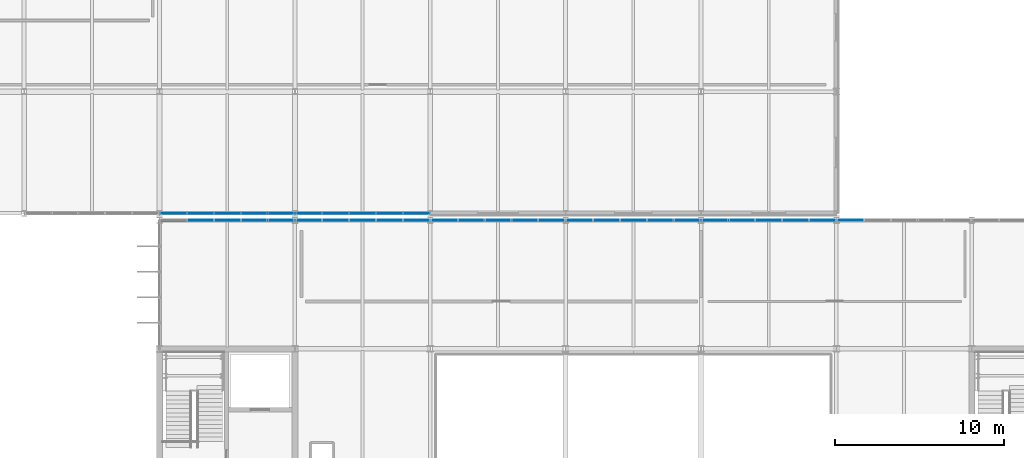
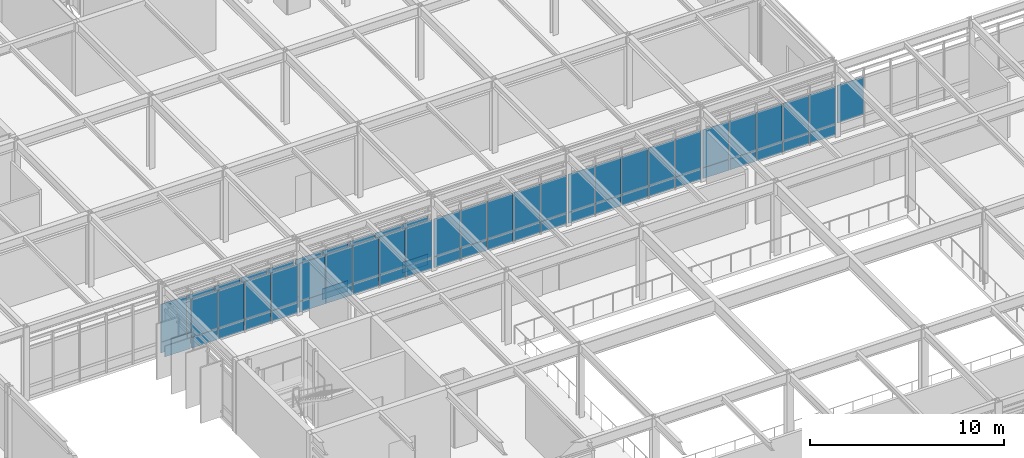
# One storey, part 72 of 104: 70 plates, 8 elements without a shape of their own.
"""IFC4 building model written with IfcOpenShell, lengths in metres."""

from ifc_helpers import new_model, si_unit, direction, frame, origin, origin_2d, place, context, subcontext, project, spatial, rectangle, extrude, material, layer, layer_set, type_object, element, aggregate, save


model = new_model("IFC4")

# Units and contexts
model_context = context("Model", 3, precision=1e-05, world=origin(), true_north=direction((0.0, 1.0)))
body_context = subcontext(model_context, "Body", "Model", "MODEL_VIEW")
ifc_project = project(units=[si_unit("LENGTHUNIT", "METRE"), si_unit("AREAUNIT", "SQUARE_METRE"), si_unit("VOLUMEUNIT", "CUBIC_METRE"), si_unit("PLANEANGLEUNIT", "RADIAN"), si_unit("MASSUNIT", "GRAM", prefix="KILO")], contexts=[model_context])

# Site, building, storey
site_placement = place(None, origin())
site = spatial("IfcSite", under=ifc_project, at=site_placement, CompositionType="ELEMENT")
building_placement = place(site_placement, origin())
building = spatial("IfcBuilding", under=site, at=building_placement, Name="Zulena Civic Courthouse", CompositionType="ELEMENT")
storey_placement = place(building_placement, frame((0.0, 0.0, 15.60009765625)))
storey = spatial("IfcBuildingStorey", under=building, at=storey_placement, Name="L03", CompositionType="ELEMENT", Elevation=15.60009765625)

# Curtain wall, plates
ifc_material_1 = material(Name="Double-silver low-E laminated solar-control glass", Category="glass")
curtain_wall_type = type_object("IfcCurtainWallType", Name="CW_7928x3690", PredefinedType="USERDEFINED", material=ifc_material_1)
curtain_wall_1_placement = place(storey_placement, origin())
curtain_wall_1 = element("IfcCurtainWall", 1, at=curtain_wall_1_placement, inside=storey, type_object=curtain_wall_type, Name="cw:V4:L03:1:0", ObjectType="UNITISED CURTAIN WALL", PredefinedType="USERDEFINED")
ifc_material_2 = material(Name="Ceramic-fritted insulated spandrel glass", Category="glass")
ifc_layer_1 = layer(ifc_material_2, 0.0458984375)
ifc_layer_set_1 = layer_set([ifc_layer_1], Name="Ceramic-fritted insulated spandrel glass")
plate_type_1 = type_object("IfcPlateType", Name="CWPanel_Spandrel_46", PredefinedType="CURTAIN_PANEL", material=ifc_layer_set_1)
plate_1_placement = place(storey_placement, frame((68.828857421875, 45.60009765625, 0.06982421875), z_axis=(0.0, 0.0, 1.0), x_axis=(1.0, 0.0, 0.0)))
plate_1 = element("IfcPlate", 2, at=plate_1_placement, type_object=plate_type_1, Name="cw:V4:L03:1:0:panS:0", PredefinedType="CURTAIN_PANEL", context=body_context, shape_type="SweptSolid", body=[
    extrude(rectangle(XDim=1.535888671875, YDim=0.0458984375, at=origin_2d()), origin(), (0.0, 0.0, 1.0), 0.669921875),
])
plate_2_placement = place(storey_placement, frame((70.414306640625, 45.60009765625, 0.06982421875), z_axis=(0.0, 0.0, 1.0), x_axis=(1.0, 0.0, 0.0)))
plate_2 = element("IfcPlate", 3, at=plate_2_placement, type_object=plate_type_1, Name="cw:V4:L03:1:0:panS:1", PredefinedType="CURTAIN_PANEL", context=body_context, shape_type="SweptSolid", body=[
    extrude(rectangle(XDim=1.535888671875, YDim=0.0458984375, at=origin_2d()), origin(), (0.0, 0.0, 1.0), 0.669921875),
])
plate_3_placement = place(storey_placement, frame((72.0, 45.60009765625, 0.06982421875), z_axis=(0.0, 0.0, 1.0), x_axis=(1.0, 0.0, 0.0)))
plate_3 = element("IfcPlate", 4, at=plate_3_placement, type_object=plate_type_1, Name="cw:V4:L03:1:0:panS:2", PredefinedType="CURTAIN_PANEL", context=body_context, shape_type="SweptSolid", body=[
    extrude(rectangle(XDim=1.535888671875, YDim=0.0458984375, at=origin_2d()), origin(), (0.0, 0.0, 1.0), 0.669921875),
])
plate_4_placement = place(storey_placement, frame((73.585693359375, 45.60009765625, 0.06982421875), z_axis=(0.0, 0.0, 1.0), x_axis=(1.0, 0.0, 0.0)))
plate_4 = element("IfcPlate", 5, at=plate_4_placement, type_object=plate_type_1, Name="cw:V4:L03:1:0:panS:3", PredefinedType="CURTAIN_PANEL", context=body_context, shape_type="SweptSolid", body=[
    extrude(rectangle(XDim=1.535888671875, YDim=0.0458984375, at=origin_2d()), origin(), (0.0, 0.0, 1.0), 0.669921875),
])
plate_5_placement = place(storey_placement, frame((75.171142578125, 45.60009765625, 0.06982421875), z_axis=(0.0, 0.0, 1.0), x_axis=(1.0, 0.0, 0.0)))
plate_5 = element("IfcPlate", 6, at=plate_5_placement, type_object=plate_type_1, Name="cw:V4:L03:1:0:panS:4", PredefinedType="CURTAIN_PANEL", context=body_context, shape_type="SweptSolid", body=[
    extrude(rectangle(XDim=1.535888671875, YDim=0.0458984375, at=origin_2d()), origin(), (0.0, 0.0, 1.0), 0.669921875),
])

curtain_wall_2_placement = place(storey_placement, origin())
curtain_wall_2 = element("IfcCurtainWall", 7, at=curtain_wall_2_placement, inside=storey, type_object=curtain_wall_type, Name="cw:V4:L03:1:1", ObjectType="UNITISED CURTAIN WALL", PredefinedType="USERDEFINED")
plate_6_placement = place(storey_placement, frame((76.828857421875, 45.60009765625, 0.06982421875), z_axis=(0.0, 0.0, 1.0), x_axis=(1.0, 0.0, 0.0)))
plate_6 = element("IfcPlate", 8, at=plate_6_placement, type_object=plate_type_1, Name="cw:V4:L03:1:1:panS:0", PredefinedType="CURTAIN_PANEL", context=body_context, shape_type="SweptSolid", body=[
    extrude(rectangle(XDim=1.535888671875, YDim=0.0458984375, at=origin_2d()), origin(), (0.0, 0.0, 1.0), 0.669921875),
])
plate_7_placement = place(storey_placement, frame((78.414306640625, 45.60009765625, 0.06982421875), z_axis=(0.0, 0.0, 1.0), x_axis=(1.0, 0.0, 0.0)))
plate_7 = element("IfcPlate", 9, at=plate_7_placement, type_object=plate_type_1, Name="cw:V4:L03:1:1:panS:1", PredefinedType="CURTAIN_PANEL", context=body_context, shape_type="SweptSolid", body=[
    extrude(rectangle(XDim=1.535888671875, YDim=0.0458984375, at=origin_2d()), origin(), (0.0, 0.0, 1.0), 0.669921875),
])
plate_8_placement = place(storey_placement, frame((80.0, 45.60009765625, 0.06982421875), z_axis=(0.0, 0.0, 1.0), x_axis=(1.0, 0.0, 0.0)))
plate_8 = element("IfcPlate", 10, at=plate_8_placement, type_object=plate_type_1, Name="cw:V4:L03:1:1:panS:2", PredefinedType="CURTAIN_PANEL", context=body_context, shape_type="SweptSolid", body=[
    extrude(rectangle(XDim=1.535888671875, YDim=0.0458984375, at=origin_2d()), origin(), (0.0, 0.0, 1.0), 0.669921875),
])
plate_9_placement = place(storey_placement, frame((81.585693359375, 45.60009765625, 0.06982421875), z_axis=(0.0, 0.0, 1.0), x_axis=(1.0, 0.0, 0.0)))
plate_9 = element("IfcPlate", 11, at=plate_9_placement, type_object=plate_type_1, Name="cw:V4:L03:1:1:panS:3", PredefinedType="CURTAIN_PANEL", context=body_context, shape_type="SweptSolid", body=[
    extrude(rectangle(XDim=1.535888671875, YDim=0.0458984375, at=origin_2d()), origin(), (0.0, 0.0, 1.0), 0.669921875),
])
plate_10_placement = place(storey_placement, frame((83.171142578125, 45.60009765625, 0.06982421875), z_axis=(0.0, 0.0, 1.0), x_axis=(1.0, 0.0, 0.0)))
plate_10 = element("IfcPlate", 12, at=plate_10_placement, type_object=plate_type_1, Name="cw:V4:L03:1:1:panS:4", PredefinedType="CURTAIN_PANEL", context=body_context, shape_type="SweptSolid", body=[
    extrude(rectangle(XDim=1.535888671875, YDim=0.0458984375, at=origin_2d()), origin(), (0.0, 0.0, 1.0), 0.669921875),
])

curtain_wall_3_placement = place(storey_placement, origin())
curtain_wall_3 = element("IfcCurtainWall", 13, at=curtain_wall_3_placement, inside=storey, type_object=curtain_wall_type, Name="cw:V4:L03:1:2", ObjectType="UNITISED CURTAIN WALL", PredefinedType="USERDEFINED")
plate_11_placement = place(storey_placement, frame((84.828857421875, 45.60009765625, 0.06982421875), z_axis=(0.0, 0.0, 1.0), x_axis=(1.0, 0.0, 0.0)))
plate_11 = element("IfcPlate", 14, at=plate_11_placement, type_object=plate_type_1, Name="cw:V4:L03:1:2:panS:0", PredefinedType="CURTAIN_PANEL", context=body_context, shape_type="SweptSolid", body=[
    extrude(rectangle(XDim=1.535888671875, YDim=0.0458984375, at=origin_2d()), origin(), (0.0, 0.0, 1.0), 0.669921875),
])
plate_12_placement = place(storey_placement, frame((86.414306640625, 45.60009765625, 0.06982421875), z_axis=(0.0, 0.0, 1.0), x_axis=(1.0, 0.0, 0.0)))
plate_12 = element("IfcPlate", 15, at=plate_12_placement, type_object=plate_type_1, Name="cw:V4:L03:1:2:panS:1", PredefinedType="CURTAIN_PANEL", context=body_context, shape_type="SweptSolid", body=[
    extrude(rectangle(XDim=1.535888671875, YDim=0.0458984375, at=origin_2d()), origin(), (0.0, 0.0, 1.0), 0.669921875),
])
plate_13_placement = place(storey_placement, frame((88.0, 45.60009765625, 0.06982421875), z_axis=(0.0, 0.0, 1.0), x_axis=(1.0, 0.0, 0.0)))
plate_13 = element("IfcPlate", 16, at=plate_13_placement, type_object=plate_type_1, Name="cw:V4:L03:1:2:panS:2", PredefinedType="CURTAIN_PANEL", context=body_context, shape_type="SweptSolid", body=[
    extrude(rectangle(XDim=1.535888671875, YDim=0.0458984375, at=origin_2d()), origin(), (0.0, 0.0, 1.0), 0.669921875),
])
plate_14_placement = place(storey_placement, frame((89.585693359375, 45.60009765625, 0.06982421875), z_axis=(0.0, 0.0, 1.0), x_axis=(1.0, 0.0, 0.0)))
plate_14 = element("IfcPlate", 17, at=plate_14_placement, type_object=plate_type_1, Name="cw:V4:L03:1:2:panS:3", PredefinedType="CURTAIN_PANEL", context=body_context, shape_type="SweptSolid", body=[
    extrude(rectangle(XDim=1.535888671875, YDim=0.0458984375, at=origin_2d()), origin(), (0.0, 0.0, 1.0), 0.669921875),
])
plate_15_placement = place(storey_placement, frame((91.171142578125, 45.60009765625, 0.06982421875), z_axis=(0.0, 0.0, 1.0), x_axis=(1.0, 0.0, 0.0)))
plate_15 = element("IfcPlate", 18, at=plate_15_placement, type_object=plate_type_1, Name="cw:V4:L03:1:2:panS:4", PredefinedType="CURTAIN_PANEL", context=body_context, shape_type="SweptSolid", body=[
    extrude(rectangle(XDim=1.535888671875, YDim=0.0458984375, at=origin_2d()), origin(), (0.0, 0.0, 1.0), 0.669921875),
])

curtain_wall_4_placement = place(storey_placement, origin())
curtain_wall_4 = element("IfcCurtainWall", 19, at=curtain_wall_4_placement, inside=storey, type_object=curtain_wall_type, Name="cw:V4:L03:1:3", ObjectType="UNITISED CURTAIN WALL", PredefinedType="USERDEFINED")
plate_16_placement = place(storey_placement, frame((92.828857421875, 45.60009765625, 0.06982421875), z_axis=(0.0, 0.0, 1.0), x_axis=(1.0, 0.0, 0.0)))
plate_16 = element("IfcPlate", 20, at=plate_16_placement, type_object=plate_type_1, Name="cw:V4:L03:1:3:panS:0", PredefinedType="CURTAIN_PANEL", context=body_context, shape_type="SweptSolid", body=[
    extrude(rectangle(XDim=1.535888671875, YDim=0.0458984375, at=origin_2d()), origin(), (0.0, 0.0, 1.0), 0.669921875),
])
plate_17_placement = place(storey_placement, frame((94.414306640625, 45.60009765625, 0.06982421875), z_axis=(0.0, 0.0, 1.0), x_axis=(1.0, 0.0, 0.0)))
plate_17 = element("IfcPlate", 21, at=plate_17_placement, type_object=plate_type_1, Name="cw:V4:L03:1:3:panS:1", PredefinedType="CURTAIN_PANEL", context=body_context, shape_type="SweptSolid", body=[
    extrude(rectangle(XDim=1.535888671875, YDim=0.0458984375, at=origin_2d()), origin(), (0.0, 0.0, 1.0), 0.669921875),
])
plate_18_placement = place(storey_placement, frame((96.0, 45.60009765625, 0.06982421875), z_axis=(0.0, 0.0, 1.0), x_axis=(1.0, 0.0, 0.0)))
plate_18 = element("IfcPlate", 22, at=plate_18_placement, type_object=plate_type_1, Name="cw:V4:L03:1:3:panS:2", PredefinedType="CURTAIN_PANEL", context=body_context, shape_type="SweptSolid", body=[
    extrude(rectangle(XDim=1.535888671875, YDim=0.0458984375, at=origin_2d()), origin(), (0.0, 0.0, 1.0), 0.669921875),
])
plate_19_placement = place(storey_placement, frame((97.585693359375, 45.60009765625, 0.06982421875), z_axis=(0.0, 0.0, 1.0), x_axis=(1.0, 0.0, 0.0)))
plate_19 = element("IfcPlate", 23, at=plate_19_placement, type_object=plate_type_1, Name="cw:V4:L03:1:3:panS:3", PredefinedType="CURTAIN_PANEL", context=body_context, shape_type="SweptSolid", body=[
    extrude(rectangle(XDim=1.535888671875, YDim=0.0458984375, at=origin_2d()), origin(), (0.0, 0.0, 1.0), 0.669921875),
])
plate_20_placement = place(storey_placement, frame((99.171142578125, 45.60009765625, 0.06982421875), z_axis=(0.0, 0.0, 1.0), x_axis=(1.0, 0.0, 0.0)))
plate_20 = element("IfcPlate", 24, at=plate_20_placement, type_object=plate_type_1, Name="cw:V4:L03:1:3:panS:4", PredefinedType="CURTAIN_PANEL", context=body_context, shape_type="SweptSolid", body=[
    extrude(rectangle(XDim=1.535888671875, YDim=0.0458984375, at=origin_2d()), origin(), (0.0, 0.0, 1.0), 0.669921875),
])

curtain_wall_5_placement = place(storey_placement, origin())
curtain_wall_5 = element("IfcCurtainWall", 25, at=curtain_wall_5_placement, inside=storey, type_object=curtain_wall_type, Name="cw:V4:L03:1:4", ObjectType="UNITISED CURTAIN WALL", PredefinedType="USERDEFINED")
plate_21_placement = place(storey_placement, frame((100.828857421875, 45.60009765625, 0.06982421875), z_axis=(0.0, 0.0, 1.0), x_axis=(1.0, 0.0, 0.0)))
plate_21 = element("IfcPlate", 26, at=plate_21_placement, type_object=plate_type_1, Name="cw:V4:L03:1:4:panS:0", PredefinedType="CURTAIN_PANEL", context=body_context, shape_type="SweptSolid", body=[
    extrude(rectangle(XDim=1.535888671875, YDim=0.0458984375, at=origin_2d()), origin(), (0.0, 0.0, 1.0), 0.669921875),
])
plate_22_placement = place(storey_placement, frame((102.414306640625, 45.60009765625, 0.06982421875), z_axis=(0.0, 0.0, 1.0), x_axis=(1.0, 0.0, 0.0)))
plate_22 = element("IfcPlate", 27, at=plate_22_placement, type_object=plate_type_1, Name="cw:V4:L03:1:4:panS:1", PredefinedType="CURTAIN_PANEL", context=body_context, shape_type="SweptSolid", body=[
    extrude(rectangle(XDim=1.535888671875, YDim=0.0458984375, at=origin_2d()), origin(), (0.0, 0.0, 1.0), 0.669921875),
])
plate_23_placement = place(storey_placement, frame((104.0, 45.60009765625, 0.06982421875), z_axis=(0.0, 0.0, 1.0), x_axis=(1.0, 0.0, 0.0)))
plate_23 = element("IfcPlate", 28, at=plate_23_placement, type_object=plate_type_1, Name="cw:V4:L03:1:4:panS:2", PredefinedType="CURTAIN_PANEL", context=body_context, shape_type="SweptSolid", body=[
    extrude(rectangle(XDim=1.535888671875, YDim=0.0458984375, at=origin_2d()), origin(), (0.0, 0.0, 1.0), 0.669921875),
])
plate_24_placement = place(storey_placement, frame((105.585693359375, 45.60009765625, 0.06982421875), z_axis=(0.0, 0.0, 1.0), x_axis=(1.0, 0.0, 0.0)))
plate_24 = element("IfcPlate", 29, at=plate_24_placement, type_object=plate_type_1, Name="cw:V4:L03:1:4:panS:3", PredefinedType="CURTAIN_PANEL", context=body_context, shape_type="SweptSolid", body=[
    extrude(rectangle(XDim=1.535888671875, YDim=0.0458984375, at=origin_2d()), origin(), (0.0, 0.0, 1.0), 0.669921875),
])
plate_25_placement = place(storey_placement, frame((107.171142578125, 45.60009765625, 0.06982421875), z_axis=(0.0, 0.0, 1.0), x_axis=(1.0, 0.0, 0.0)))
plate_25 = element("IfcPlate", 30, at=plate_25_placement, type_object=plate_type_1, Name="cw:V4:L03:1:4:panS:4", PredefinedType="CURTAIN_PANEL", context=body_context, shape_type="SweptSolid", body=[
    extrude(rectangle(XDim=1.535888671875, YDim=0.0458984375, at=origin_2d()), origin(), (0.0, 0.0, 1.0), 0.669921875),
])

curtain_wall_6_placement = place(storey_placement, origin())
curtain_wall_6 = element("IfcCurtainWall", 31, at=curtain_wall_6_placement, inside=storey, type_object=curtain_wall_type, Name="cw:V5:L03:5:3", ObjectType="UNITISED CURTAIN WALL", PredefinedType="USERDEFINED")
plate_26_placement = place(storey_placement, frame((83.171142578125, 46.0, 0.06982421875), z_axis=(0.0, 0.0, 1.0), x_axis=(-1.0, 0.0, 0.0)))
plate_26 = element("IfcPlate", 32, at=plate_26_placement, type_object=plate_type_1, Name="cw:V5:L03:5:3:panS:0", PredefinedType="CURTAIN_PANEL", context=body_context, shape_type="SweptSolid", body=[
    extrude(rectangle(XDim=1.535888671875, YDim=0.0458984375, at=origin_2d()), origin(), (0.0, 0.0, 1.0), 0.669921875),
])
plate_27_placement = place(storey_placement, frame((81.585693359375, 46.0, 0.06982421875), z_axis=(0.0, 0.0, 1.0), x_axis=(-1.0, 0.0, 0.0)))
plate_27 = element("IfcPlate", 33, at=plate_27_placement, type_object=plate_type_1, Name="cw:V5:L03:5:3:panS:1", PredefinedType="CURTAIN_PANEL", context=body_context, shape_type="SweptSolid", body=[
    extrude(rectangle(XDim=1.535888671875, YDim=0.0458984375, at=origin_2d()), origin(), (0.0, 0.0, 1.0), 0.669921875),
])
plate_28_placement = place(storey_placement, frame((80.0, 46.0, 0.06982421875), z_axis=(0.0, 0.0, 1.0), x_axis=(-1.0, 0.0, 0.0)))
plate_28 = element("IfcPlate", 34, at=plate_28_placement, type_object=plate_type_1, Name="cw:V5:L03:5:3:panS:2", PredefinedType="CURTAIN_PANEL", context=body_context, shape_type="SweptSolid", body=[
    extrude(rectangle(XDim=1.535888671875, YDim=0.0458984375, at=origin_2d()), origin(), (0.0, 0.0, 1.0), 0.669921875),
])
plate_29_placement = place(storey_placement, frame((78.414306640625, 46.0, 0.06982421875), z_axis=(0.0, 0.0, 1.0), x_axis=(-1.0, 0.0, 0.0)))
plate_29 = element("IfcPlate", 35, at=plate_29_placement, type_object=plate_type_1, Name="cw:V5:L03:5:3:panS:3", PredefinedType="CURTAIN_PANEL", context=body_context, shape_type="SweptSolid", body=[
    extrude(rectangle(XDim=1.535888671875, YDim=0.0458984375, at=origin_2d()), origin(), (0.0, 0.0, 1.0), 0.669921875),
])
plate_30_placement = place(storey_placement, frame((76.828857421875, 46.0, 0.06982421875), z_axis=(0.0, 0.0, 1.0), x_axis=(-1.0, 0.0, 0.0)))
plate_30 = element("IfcPlate", 36, at=plate_30_placement, type_object=plate_type_1, Name="cw:V5:L03:5:3:panS:4", PredefinedType="CURTAIN_PANEL", context=body_context, shape_type="SweptSolid", body=[
    extrude(rectangle(XDim=1.535888671875, YDim=0.0458984375, at=origin_2d()), origin(), (0.0, 0.0, 1.0), 0.669921875),
])

curtain_wall_7_placement = place(storey_placement, origin())
curtain_wall_7 = element("IfcCurtainWall", 37, at=curtain_wall_7_placement, inside=storey, type_object=curtain_wall_type, Name="cw:V5:L03:5:4", ObjectType="UNITISED CURTAIN WALL", PredefinedType="USERDEFINED")
plate_31_placement = place(storey_placement, frame((75.171142578125, 46.0, 0.06982421875), z_axis=(0.0, 0.0, 1.0), x_axis=(-1.0, 0.0, 0.0)))
plate_31 = element("IfcPlate", 38, at=plate_31_placement, type_object=plate_type_1, Name="cw:V5:L03:5:4:panS:0", PredefinedType="CURTAIN_PANEL", context=body_context, shape_type="SweptSolid", body=[
    extrude(rectangle(XDim=1.535888671875, YDim=0.0458984375, at=origin_2d()), origin(), (0.0, 0.0, 1.0), 0.669921875),
])
plate_32_placement = place(storey_placement, frame((73.585693359375, 46.0, 0.06982421875), z_axis=(0.0, 0.0, 1.0), x_axis=(-1.0, 0.0, 0.0)))
plate_32 = element("IfcPlate", 39, at=plate_32_placement, type_object=plate_type_1, Name="cw:V5:L03:5:4:panS:1", PredefinedType="CURTAIN_PANEL", context=body_context, shape_type="SweptSolid", body=[
    extrude(rectangle(XDim=1.535888671875, YDim=0.0458984375, at=origin_2d()), origin(), (0.0, 0.0, 1.0), 0.669921875),
])
plate_33_placement = place(storey_placement, frame((72.0, 46.0, 0.06982421875), z_axis=(0.0, 0.0, 1.0), x_axis=(-1.0, 0.0, 0.0)))
plate_33 = element("IfcPlate", 40, at=plate_33_placement, type_object=plate_type_1, Name="cw:V5:L03:5:4:panS:2", PredefinedType="CURTAIN_PANEL", context=body_context, shape_type="SweptSolid", body=[
    extrude(rectangle(XDim=1.535888671875, YDim=0.0458984375, at=origin_2d()), origin(), (0.0, 0.0, 1.0), 0.669921875),
])
plate_34_placement = place(storey_placement, frame((70.414306640625, 46.0, 0.06982421875), z_axis=(0.0, 0.0, 1.0), x_axis=(-1.0, 0.0, 0.0)))
plate_34 = element("IfcPlate", 41, at=plate_34_placement, type_object=plate_type_1, Name="cw:V5:L03:5:4:panS:3", PredefinedType="CURTAIN_PANEL", context=body_context, shape_type="SweptSolid", body=[
    extrude(rectangle(XDim=1.535888671875, YDim=0.0458984375, at=origin_2d()), origin(), (0.0, 0.0, 1.0), 0.669921875),
])
plate_35_placement = place(storey_placement, frame((68.828857421875, 46.0, 0.06982421875), z_axis=(0.0, 0.0, 1.0), x_axis=(-1.0, 0.0, 0.0)))
plate_35 = element("IfcPlate", 42, at=plate_35_placement, type_object=plate_type_1, Name="cw:V5:L03:5:4:panS:4", PredefinedType="CURTAIN_PANEL", context=body_context, shape_type="SweptSolid", body=[
    extrude(rectangle(XDim=1.535888671875, YDim=0.0458984375, at=origin_2d()), origin(), (0.0, 0.0, 1.0), 0.669921875),
])

# Plate
ifc_layer_2 = layer(ifc_material_1, 0.035888671875)
ifc_layer_set_2 = layer_set([ifc_layer_2], Name="Double-silver low-E laminated solar-control glass")
plate_type_2 = type_object("IfcPlateType", Name="CWPanel_Vision_36", PredefinedType="CURTAIN_PANEL", material=ifc_layer_set_2)
plate_36_placement = place(storey_placement, frame((70.414306640625, 45.60009765625, 0.759765625), z_axis=(0.0, 0.0, 1.0), x_axis=(1.0, 0.0, 0.0)))
plate_36 = element("IfcPlate", 43, at=plate_36_placement, type_object=plate_type_2, Name="cw:V4:L03:1:0:panV:1", PredefinedType="CURTAIN_PANEL", context=body_context, shape_type="SweptSolid", body=[
    extrude(rectangle(XDim=1.535888671875, YDim=0.035888671875, at=origin_2d()), origin(), (0.0, 0.0, 1.0), 2.3701171875),
])

plate_37_placement = place(storey_placement, frame((72.0, 45.60009765625, 0.759765625), z_axis=(0.0, 0.0, 1.0), x_axis=(1.0, 0.0, 0.0)))
plate_37 = element("IfcPlate", 44, at=plate_37_placement, type_object=plate_type_2, Name="cw:V4:L03:1:0:panV:2", PredefinedType="CURTAIN_PANEL", context=body_context, shape_type="SweptSolid", body=[
    extrude(rectangle(XDim=1.535888671875, YDim=0.035888671875, at=origin_2d()), origin(), (0.0, 0.0, 1.0), 2.3701171875),
])

plate_38_placement = place(storey_placement, frame((73.585693359375, 45.60009765625, 0.759765625), z_axis=(0.0, 0.0, 1.0), x_axis=(1.0, 0.0, 0.0)))
plate_38 = element("IfcPlate", 45, at=plate_38_placement, type_object=plate_type_2, Name="cw:V4:L03:1:0:panV:3", PredefinedType="CURTAIN_PANEL", context=body_context, shape_type="SweptSolid", body=[
    extrude(rectangle(XDim=1.535888671875, YDim=0.035888671875, at=origin_2d()), origin(), (0.0, 0.0, 1.0), 2.3701171875),
])

plate_39_placement = place(storey_placement, frame((75.171142578125, 45.60009765625, 0.759765625), z_axis=(0.0, 0.0, 1.0), x_axis=(1.0, 0.0, 0.0)))
plate_39 = element("IfcPlate", 46, at=plate_39_placement, type_object=plate_type_2, Name="cw:V4:L03:1:0:panV:4", PredefinedType="CURTAIN_PANEL", context=body_context, shape_type="SweptSolid", body=[
    extrude(rectangle(XDim=1.535888671875, YDim=0.035888671875, at=origin_2d()), origin(), (0.0, 0.0, 1.0), 2.3701171875),
])

aggregate(curtain_wall_1, [plate_1, plate_36, plate_2, plate_37, plate_3, plate_38, plate_4, plate_39, plate_5])

plate_40_placement = place(storey_placement, frame((76.828857421875, 45.60009765625, 0.759765625), z_axis=(0.0, 0.0, 1.0), x_axis=(1.0, 0.0, 0.0)))
plate_40 = element("IfcPlate", 47, at=plate_40_placement, type_object=plate_type_2, Name="cw:V4:L03:1:1:panV:0", PredefinedType="CURTAIN_PANEL", context=body_context, shape_type="SweptSolid", body=[
    extrude(rectangle(XDim=1.535888671875, YDim=0.035888671875, at=origin_2d()), origin(), (0.0, 0.0, 1.0), 2.3701171875),
])

plate_41_placement = place(storey_placement, frame((78.414306640625, 45.60009765625, 0.759765625), z_axis=(0.0, 0.0, 1.0), x_axis=(1.0, 0.0, 0.0)))
plate_41 = element("IfcPlate", 48, at=plate_41_placement, type_object=plate_type_2, Name="cw:V4:L03:1:1:panV:1", PredefinedType="CURTAIN_PANEL", context=body_context, shape_type="SweptSolid", body=[
    extrude(rectangle(XDim=1.535888671875, YDim=0.035888671875, at=origin_2d()), origin(), (0.0, 0.0, 1.0), 2.3701171875),
])

plate_42_placement = place(storey_placement, frame((80.0, 45.60009765625, 0.759765625), z_axis=(0.0, 0.0, 1.0), x_axis=(1.0, 0.0, 0.0)))
plate_42 = element("IfcPlate", 49, at=plate_42_placement, type_object=plate_type_2, Name="cw:V4:L03:1:1:panV:2", PredefinedType="CURTAIN_PANEL", context=body_context, shape_type="SweptSolid", body=[
    extrude(rectangle(XDim=1.535888671875, YDim=0.035888671875, at=origin_2d()), origin(), (0.0, 0.0, 1.0), 2.3701171875),
])

plate_43_placement = place(storey_placement, frame((81.585693359375, 45.60009765625, 0.759765625), z_axis=(0.0, 0.0, 1.0), x_axis=(1.0, 0.0, 0.0)))
plate_43 = element("IfcPlate", 50, at=plate_43_placement, type_object=plate_type_2, Name="cw:V4:L03:1:1:panV:3", PredefinedType="CURTAIN_PANEL", context=body_context, shape_type="SweptSolid", body=[
    extrude(rectangle(XDim=1.535888671875, YDim=0.035888671875, at=origin_2d()), origin(), (0.0, 0.0, 1.0), 2.3701171875),
])

plate_44_placement = place(storey_placement, frame((83.171142578125, 45.60009765625, 0.759765625), z_axis=(0.0, 0.0, 1.0), x_axis=(1.0, 0.0, 0.0)))
plate_44 = element("IfcPlate", 51, at=plate_44_placement, type_object=plate_type_2, Name="cw:V4:L03:1:1:panV:4", PredefinedType="CURTAIN_PANEL", context=body_context, shape_type="SweptSolid", body=[
    extrude(rectangle(XDim=1.535888671875, YDim=0.035888671875, at=origin_2d()), origin(), (0.0, 0.0, 1.0), 2.3701171875),
])

aggregate(curtain_wall_2, [plate_40, plate_6, plate_41, plate_7, plate_42, plate_8, plate_43, plate_9, plate_44, plate_10])

plate_45_placement = place(storey_placement, frame((84.828857421875, 45.60009765625, 0.759765625), z_axis=(0.0, 0.0, 1.0), x_axis=(1.0, 0.0, 0.0)))
plate_45 = element("IfcPlate", 52, at=plate_45_placement, type_object=plate_type_2, Name="cw:V4:L03:1:2:panV:0", PredefinedType="CURTAIN_PANEL", context=body_context, shape_type="SweptSolid", body=[
    extrude(rectangle(XDim=1.535888671875, YDim=0.035888671875, at=origin_2d()), origin(), (0.0, 0.0, 1.0), 2.3701171875),
])

plate_46_placement = place(storey_placement, frame((86.414306640625, 45.60009765625, 0.759765625), z_axis=(0.0, 0.0, 1.0), x_axis=(1.0, 0.0, 0.0)))
plate_46 = element("IfcPlate", 53, at=plate_46_placement, type_object=plate_type_2, Name="cw:V4:L03:1:2:panV:1", PredefinedType="CURTAIN_PANEL", context=body_context, shape_type="SweptSolid", body=[
    extrude(rectangle(XDim=1.535888671875, YDim=0.035888671875, at=origin_2d()), origin(), (0.0, 0.0, 1.0), 2.3701171875),
])

plate_47_placement = place(storey_placement, frame((88.0, 45.60009765625, 0.759765625), z_axis=(0.0, 0.0, 1.0), x_axis=(1.0, 0.0, 0.0)))
plate_47 = element("IfcPlate", 54, at=plate_47_placement, type_object=plate_type_2, Name="cw:V4:L03:1:2:panV:2", PredefinedType="CURTAIN_PANEL", context=body_context, shape_type="SweptSolid", body=[
    extrude(rectangle(XDim=1.535888671875, YDim=0.035888671875, at=origin_2d()), origin(), (0.0, 0.0, 1.0), 2.3701171875),
])

plate_48_placement = place(storey_placement, frame((89.585693359375, 45.60009765625, 0.759765625), z_axis=(0.0, 0.0, 1.0), x_axis=(1.0, 0.0, 0.0)))
plate_48 = element("IfcPlate", 55, at=plate_48_placement, type_object=plate_type_2, Name="cw:V4:L03:1:2:panV:3", PredefinedType="CURTAIN_PANEL", context=body_context, shape_type="SweptSolid", body=[
    extrude(rectangle(XDim=1.535888671875, YDim=0.035888671875, at=origin_2d()), origin(), (0.0, 0.0, 1.0), 2.3701171875),
])

plate_49_placement = place(storey_placement, frame((91.171142578125, 45.60009765625, 0.759765625), z_axis=(0.0, 0.0, 1.0), x_axis=(1.0, 0.0, 0.0)))
plate_49 = element("IfcPlate", 56, at=plate_49_placement, type_object=plate_type_2, Name="cw:V4:L03:1:2:panV:4", PredefinedType="CURTAIN_PANEL", context=body_context, shape_type="SweptSolid", body=[
    extrude(rectangle(XDim=1.535888671875, YDim=0.035888671875, at=origin_2d()), origin(), (0.0, 0.0, 1.0), 2.3701171875),
])

aggregate(curtain_wall_3, [plate_45, plate_11, plate_46, plate_12, plate_47, plate_13, plate_48, plate_14, plate_49, plate_15])

plate_50_placement = place(storey_placement, frame((92.828857421875, 45.60009765625, 0.759765625), z_axis=(0.0, 0.0, 1.0), x_axis=(1.0, 0.0, 0.0)))
plate_50 = element("IfcPlate", 57, at=plate_50_placement, type_object=plate_type_2, Name="cw:V4:L03:1:3:panV:0", PredefinedType="CURTAIN_PANEL", context=body_context, shape_type="SweptSolid", body=[
    extrude(rectangle(XDim=1.535888671875, YDim=0.035888671875, at=origin_2d()), origin(), (0.0, 0.0, 1.0), 2.3701171875),
])

plate_51_placement = place(storey_placement, frame((94.414306640625, 45.60009765625, 0.759765625), z_axis=(0.0, 0.0, 1.0), x_axis=(1.0, 0.0, 0.0)))
plate_51 = element("IfcPlate", 58, at=plate_51_placement, type_object=plate_type_2, Name="cw:V4:L03:1:3:panV:1", PredefinedType="CURTAIN_PANEL", context=body_context, shape_type="SweptSolid", body=[
    extrude(rectangle(XDim=1.535888671875, YDim=0.035888671875, at=origin_2d()), origin(), (0.0, 0.0, 1.0), 2.3701171875),
])

plate_52_placement = place(storey_placement, frame((96.0, 45.60009765625, 0.759765625), z_axis=(0.0, 0.0, 1.0), x_axis=(1.0, 0.0, 0.0)))
plate_52 = element("IfcPlate", 59, at=plate_52_placement, type_object=plate_type_2, Name="cw:V4:L03:1:3:panV:2", PredefinedType="CURTAIN_PANEL", context=body_context, shape_type="SweptSolid", body=[
    extrude(rectangle(XDim=1.535888671875, YDim=0.035888671875, at=origin_2d()), origin(), (0.0, 0.0, 1.0), 2.3701171875),
])

plate_53_placement = place(storey_placement, frame((97.585693359375, 45.60009765625, 0.759765625), z_axis=(0.0, 0.0, 1.0), x_axis=(1.0, 0.0, 0.0)))
plate_53 = element("IfcPlate", 60, at=plate_53_placement, type_object=plate_type_2, Name="cw:V4:L03:1:3:panV:3", PredefinedType="CURTAIN_PANEL", context=body_context, shape_type="SweptSolid", body=[
    extrude(rectangle(XDim=1.535888671875, YDim=0.035888671875, at=origin_2d()), origin(), (0.0, 0.0, 1.0), 2.3701171875),
])

plate_54_placement = place(storey_placement, frame((99.171142578125, 45.60009765625, 0.759765625), z_axis=(0.0, 0.0, 1.0), x_axis=(1.0, 0.0, 0.0)))
plate_54 = element("IfcPlate", 61, at=plate_54_placement, type_object=plate_type_2, Name="cw:V4:L03:1:3:panV:4", PredefinedType="CURTAIN_PANEL", context=body_context, shape_type="SweptSolid", body=[
    extrude(rectangle(XDim=1.535888671875, YDim=0.035888671875, at=origin_2d()), origin(), (0.0, 0.0, 1.0), 2.3701171875),
])

aggregate(curtain_wall_4, [plate_50, plate_16, plate_51, plate_17, plate_52, plate_18, plate_53, plate_19, plate_54, plate_20])

plate_55_placement = place(storey_placement, frame((100.828857421875, 45.60009765625, 0.759765625), z_axis=(0.0, 0.0, 1.0), x_axis=(1.0, 0.0, 0.0)))
plate_55 = element("IfcPlate", 62, at=plate_55_placement, type_object=plate_type_2, Name="cw:V4:L03:1:4:panV:0", PredefinedType="CURTAIN_PANEL", context=body_context, shape_type="SweptSolid", body=[
    extrude(rectangle(XDim=1.535888671875, YDim=0.035888671875, at=origin_2d()), origin(), (0.0, 0.0, 1.0), 2.3701171875),
])

plate_56_placement = place(storey_placement, frame((102.414306640625, 45.60009765625, 0.759765625), z_axis=(0.0, 0.0, 1.0), x_axis=(1.0, 0.0, 0.0)))
plate_56 = element("IfcPlate", 63, at=plate_56_placement, type_object=plate_type_2, Name="cw:V4:L03:1:4:panV:1", PredefinedType="CURTAIN_PANEL", context=body_context, shape_type="SweptSolid", body=[
    extrude(rectangle(XDim=1.535888671875, YDim=0.035888671875, at=origin_2d()), origin(), (0.0, 0.0, 1.0), 2.3701171875),
])

plate_57_placement = place(storey_placement, frame((104.0, 45.60009765625, 0.759765625), z_axis=(0.0, 0.0, 1.0), x_axis=(1.0, 0.0, 0.0)))
plate_57 = element("IfcPlate", 64, at=plate_57_placement, type_object=plate_type_2, Name="cw:V4:L03:1:4:panV:2", PredefinedType="CURTAIN_PANEL", context=body_context, shape_type="SweptSolid", body=[
    extrude(rectangle(XDim=1.535888671875, YDim=0.035888671875, at=origin_2d()), origin(), (0.0, 0.0, 1.0), 2.3701171875),
])

plate_58_placement = place(storey_placement, frame((105.585693359375, 45.60009765625, 0.759765625), z_axis=(0.0, 0.0, 1.0), x_axis=(1.0, 0.0, 0.0)))
plate_58 = element("IfcPlate", 65, at=plate_58_placement, type_object=plate_type_2, Name="cw:V4:L03:1:4:panV:3", PredefinedType="CURTAIN_PANEL", context=body_context, shape_type="SweptSolid", body=[
    extrude(rectangle(XDim=1.535888671875, YDim=0.035888671875, at=origin_2d()), origin(), (0.0, 0.0, 1.0), 2.3701171875),
])

plate_59_placement = place(storey_placement, frame((107.171142578125, 45.60009765625, 0.759765625), z_axis=(0.0, 0.0, 1.0), x_axis=(1.0, 0.0, 0.0)))
plate_59 = element("IfcPlate", 66, at=plate_59_placement, type_object=plate_type_2, Name="cw:V4:L03:1:4:panV:4", PredefinedType="CURTAIN_PANEL", context=body_context, shape_type="SweptSolid", body=[
    extrude(rectangle(XDim=1.535888671875, YDim=0.035888671875, at=origin_2d()), origin(), (0.0, 0.0, 1.0), 2.3701171875),
])

aggregate(curtain_wall_5, [plate_55, plate_21, plate_56, plate_22, plate_57, plate_23, plate_58, plate_24, plate_59, plate_25])

# Curtain wall, plate
curtain_wall_8_placement = place(storey_placement, origin())
curtain_wall_8 = element("IfcCurtainWall", 67, at=curtain_wall_8_placement, inside=storey, type_object=curtain_wall_type, Name="cw:V4:L03:1:5", ObjectType="UNITISED CURTAIN WALL", PredefinedType="USERDEFINED")
plate_60_placement = place(storey_placement, frame((108.828857421875, 45.60009765625, 0.759765625), z_axis=(0.0, 0.0, 1.0), x_axis=(1.0, 0.0, 0.0)))
plate_60 = element("IfcPlate", 68, at=plate_60_placement, type_object=plate_type_2, Name="cw:V4:L03:1:5:panV:0", PredefinedType="CURTAIN_PANEL", context=body_context, shape_type="SweptSolid", body=[
    extrude(rectangle(XDim=1.535888671875, YDim=0.035888671875, at=origin_2d()), origin(), (0.0, 0.0, 1.0), 2.3701171875),
])
aggregate(curtain_wall_8, [plate_60])

# Plate
plate_61_placement = place(storey_placement, frame((83.171142578125, 46.0, 0.759765625), z_axis=(0.0, 0.0, 1.0), x_axis=(-1.0, 0.0, 0.0)))
plate_61 = element("IfcPlate", 69, at=plate_61_placement, type_object=plate_type_2, Name="cw:V5:L03:5:3:panV:0", PredefinedType="CURTAIN_PANEL", context=body_context, shape_type="SweptSolid", body=[
    extrude(rectangle(XDim=1.535888671875, YDim=0.035888671875, at=origin_2d()), origin(), (0.0, 0.0, 1.0), 2.3701171875),
])

plate_62_placement = place(storey_placement, frame((81.585693359375, 46.0, 0.759765625), z_axis=(0.0, 0.0, 1.0), x_axis=(-1.0, 0.0, 0.0)))
plate_62 = element("IfcPlate", 70, at=plate_62_placement, type_object=plate_type_2, Name="cw:V5:L03:5:3:panV:1", PredefinedType="CURTAIN_PANEL", context=body_context, shape_type="SweptSolid", body=[
    extrude(rectangle(XDim=1.535888671875, YDim=0.035888671875, at=origin_2d()), origin(), (0.0, 0.0, 1.0), 2.3701171875),
])

plate_63_placement = place(storey_placement, frame((80.0, 46.0, 0.759765625), z_axis=(0.0, 0.0, 1.0), x_axis=(-1.0, 0.0, 0.0)))
plate_63 = element("IfcPlate", 71, at=plate_63_placement, type_object=plate_type_2, Name="cw:V5:L03:5:3:panV:2", PredefinedType="CURTAIN_PANEL", context=body_context, shape_type="SweptSolid", body=[
    extrude(rectangle(XDim=1.535888671875, YDim=0.035888671875, at=origin_2d()), origin(), (0.0, 0.0, 1.0), 2.3701171875),
])

plate_64_placement = place(storey_placement, frame((78.414306640625, 46.0, 0.759765625), z_axis=(0.0, 0.0, 1.0), x_axis=(-1.0, 0.0, 0.0)))
plate_64 = element("IfcPlate", 72, at=plate_64_placement, type_object=plate_type_2, Name="cw:V5:L03:5:3:panV:3", PredefinedType="CURTAIN_PANEL", context=body_context, shape_type="SweptSolid", body=[
    extrude(rectangle(XDim=1.535888671875, YDim=0.035888671875, at=origin_2d()), origin(), (0.0, 0.0, 1.0), 2.3701171875),
])

plate_65_placement = place(storey_placement, frame((76.828857421875, 46.0, 0.759765625), z_axis=(0.0, 0.0, 1.0), x_axis=(-1.0, 0.0, 0.0)))
plate_65 = element("IfcPlate", 73, at=plate_65_placement, type_object=plate_type_2, Name="cw:V5:L03:5:3:panV:4", PredefinedType="CURTAIN_PANEL", context=body_context, shape_type="SweptSolid", body=[
    extrude(rectangle(XDim=1.535888671875, YDim=0.035888671875, at=origin_2d()), origin(), (0.0, 0.0, 1.0), 2.3701171875),
])

aggregate(curtain_wall_6, [plate_61, plate_26, plate_62, plate_27, plate_63, plate_28, plate_64, plate_29, plate_65, plate_30])

plate_66_placement = place(storey_placement, frame((75.171142578125, 46.0, 0.759765625), z_axis=(0.0, 0.0, 1.0), x_axis=(-1.0, 0.0, 0.0)))
plate_66 = element("IfcPlate", 74, at=plate_66_placement, type_object=plate_type_2, Name="cw:V5:L03:5:4:panV:0", PredefinedType="CURTAIN_PANEL", context=body_context, shape_type="SweptSolid", body=[
    extrude(rectangle(XDim=1.535888671875, YDim=0.035888671875, at=origin_2d()), origin(), (0.0, 0.0, 1.0), 2.3701171875),
])

plate_67_placement = place(storey_placement, frame((73.585693359375, 46.0, 0.759765625), z_axis=(0.0, 0.0, 1.0), x_axis=(-1.0, 0.0, 0.0)))
plate_67 = element("IfcPlate", 75, at=plate_67_placement, type_object=plate_type_2, Name="cw:V5:L03:5:4:panV:1", PredefinedType="CURTAIN_PANEL", context=body_context, shape_type="SweptSolid", body=[
    extrude(rectangle(XDim=1.535888671875, YDim=0.035888671875, at=origin_2d()), origin(), (0.0, 0.0, 1.0), 2.3701171875),
])

plate_68_placement = place(storey_placement, frame((72.0, 46.0, 0.759765625), z_axis=(0.0, 0.0, 1.0), x_axis=(-1.0, 0.0, 0.0)))
plate_68 = element("IfcPlate", 76, at=plate_68_placement, type_object=plate_type_2, Name="cw:V5:L03:5:4:panV:2", PredefinedType="CURTAIN_PANEL", context=body_context, shape_type="SweptSolid", body=[
    extrude(rectangle(XDim=1.535888671875, YDim=0.035888671875, at=origin_2d()), origin(), (0.0, 0.0, 1.0), 2.3701171875),
])

plate_69_placement = place(storey_placement, frame((70.414306640625, 46.0, 0.759765625), z_axis=(0.0, 0.0, 1.0), x_axis=(-1.0, 0.0, 0.0)))
plate_69 = element("IfcPlate", 77, at=plate_69_placement, type_object=plate_type_2, Name="cw:V5:L03:5:4:panV:3", PredefinedType="CURTAIN_PANEL", context=body_context, shape_type="SweptSolid", body=[
    extrude(rectangle(XDim=1.535888671875, YDim=0.035888671875, at=origin_2d()), origin(), (0.0, 0.0, 1.0), 2.3701171875),
])

plate_70_placement = place(storey_placement, frame((68.828857421875, 46.0, 0.759765625), z_axis=(0.0, 0.0, 1.0), x_axis=(-1.0, 0.0, 0.0)))
plate_70 = element("IfcPlate", 78, at=plate_70_placement, type_object=plate_type_2, Name="cw:V5:L03:5:4:panV:4", PredefinedType="CURTAIN_PANEL", context=body_context, shape_type="SweptSolid", body=[
    extrude(rectangle(XDim=1.535888671875, YDim=0.035888671875, at=origin_2d()), origin(), (0.0, 0.0, 1.0), 2.3701171875),
])

aggregate(curtain_wall_7, [plate_66, plate_31, plate_67, plate_32, plate_68, plate_33, plate_69, plate_34, plate_70, plate_35])

save(model, "model.ifc")
